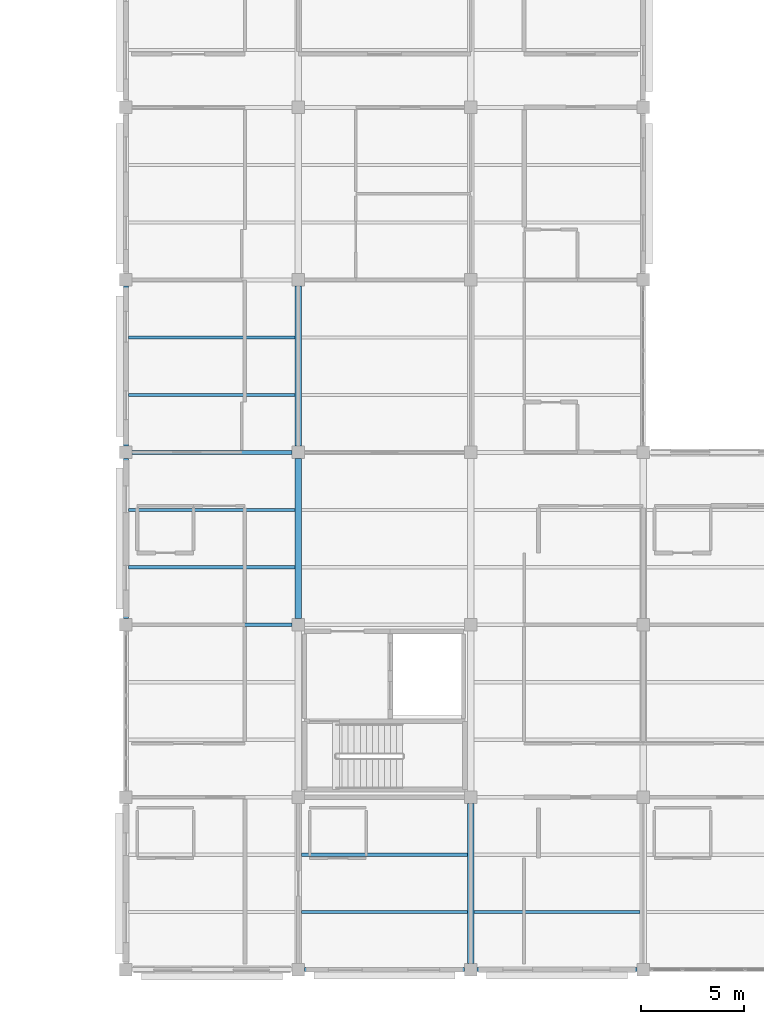
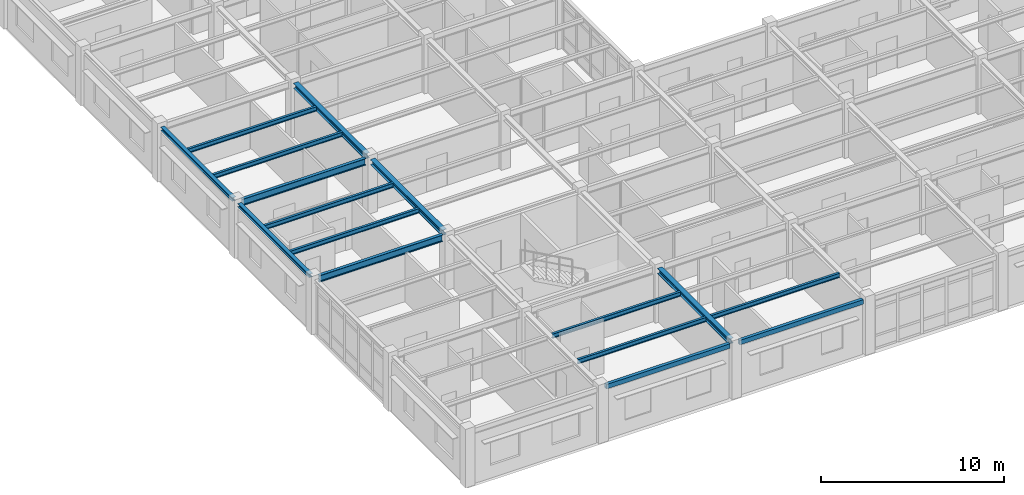
# One storey, part 3 of 86: 16 beams.
"""IFC4 building model written with IfcOpenShell, lengths in metres."""

from ifc_helpers import new_model, si_unit, direction, frame, origin, origin_2d, place, context, subcontext, project, spatial, hollow_rectangle, i_section, extrude, material, material_profile, profile_set, type_object, element, save


model = new_model("IFC4")

# Units and contexts
model_context = context("Model", 3, precision=1e-05, world=origin(), true_north=direction((0.0, 1.0)))
body_context = subcontext(model_context, "Body", "Model", "MODEL_VIEW")
ifc_project = project(units=[si_unit("LENGTHUNIT", "METRE"), si_unit("AREAUNIT", "SQUARE_METRE"), si_unit("VOLUMEUNIT", "CUBIC_METRE"), si_unit("PLANEANGLEUNIT", "RADIAN"), si_unit("MASSUNIT", "GRAM", prefix="KILO")], contexts=[model_context])

# Site, building, storey
site_placement = place(None, origin())
site = spatial("IfcSite", under=ifc_project, at=site_placement, CompositionType="ELEMENT")
building_placement = place(site_placement, origin())
building = spatial("IfcBuilding", under=site, at=building_placement, Name="Bramfleet General Hospital", CompositionType="ELEMENT")
storey_placement = place(building_placement, frame((0.0, 0.0, 18.60009765625)))
storey = spatial("IfcBuildingStorey", under=building, at=storey_placement, Name="L04", CompositionType="ELEMENT", Elevation=18.60009765625)

# Beams
ifc_material = material(Name="Steel S355", Category="steel")
ifc_material_profile_1 = material_profile(ifc_material, i_section(OverallWidth=0.239990234375, OverallDepth=0.22998046875, WebThickness=0.007568359375, FlangeThickness=0.011962890625, FilletRadius=0.02099609375, at=origin_2d()), Name="HEA 240")
ifc_profile_set_1 = profile_set([ifc_material_profile_1], Name="Steel S355")
beam_type_1 = type_object("IfcBeamType", Name="BM-HEA240", PredefinedType="SPANDREL", material=ifc_profile_set_1)
beam_1_placement = place(storey_placement, frame((92.39990234375, 17.10009765625, 3.5048828125), z_axis=(0.0, 1.0, 0.0), x_axis=(-1.0, 0.0, 0.0)))
element("IfcBeam", 1, at=beam_1_placement, inside=storey, type_object=beam_type_1, Name="L04 Grid Beam Y 11-02", PredefinedType="SPANDREL", context=body_context, shape_type="SweptSolid", body=[
    extrude(i_section(OverallWidth=0.239990234375, OverallDepth=0.22998046875, WebThickness=0.007568359375, FlangeThickness=0.011962890625, FilletRadius=0.02099609375, at=origin_2d()), origin(), (0.0, 0.0, 1.0), 7.7998046875),
])
beam_2_placement = place(storey_placement, frame((92.39990234375, 25.5, 3.5048828125), z_axis=(0.0, 1.0, 0.0), x_axis=(-1.0, 0.0, 0.0)))
element("IfcBeam", 2, at=beam_2_placement, inside=storey, type_object=beam_type_1, Name="L04 Grid Beam Y 11-03", PredefinedType="SPANDREL", context=body_context, shape_type="SweptSolid", body=[
    extrude(i_section(OverallWidth=0.239990234375, OverallDepth=0.22998046875, WebThickness=0.007568359375, FlangeThickness=0.011962890625, FilletRadius=0.02099609375, at=origin_2d()), origin(), (0.0, 0.0, 1.0), 7.800048828125),
])
ifc_material_profile_2 = material_profile(ifc_material, i_section(OverallWidth=0.300048828125, OverallDepth=0.35009765625, WebThickness=0.010009765625, FlangeThickness=0.017578125, FilletRadius=0.027099609375, at=origin_2d()), Name="HEA 360")
ifc_profile_set_2 = profile_set([ifc_material_profile_2], Name="Steel S355")
beam_type_2 = type_object("IfcBeamType", Name="BM-HEA360", PredefinedType="BEAM", material=ifc_profile_set_2)
beam_3_placement = place(storey_placement, frame((100.800048828125, 17.10009765625, 3.44482421875), z_axis=(0.0, 1.0, 0.0), x_axis=(-1.0, 0.0, 0.0)))
element("IfcBeam", 3, at=beam_3_placement, inside=storey, type_object=beam_type_2, Name="L04 Grid Beam Y 12-02", PredefinedType="BEAM", context=body_context, shape_type="SweptSolid", body=[
    extrude(i_section(OverallWidth=0.300048828125, OverallDepth=0.35009765625, WebThickness=0.010009765625, FlangeThickness=0.017578125, FilletRadius=0.027099609375, at=origin_2d()), origin(), (0.0, 0.0, 1.0), 7.7998046875),
])
for number, where, z_axis, x_axis, name in (
    (4, (100.800048828125, 25.5, 3.44482421875), (0.0, 1.0, 0.0), (-1.0, 0.0, 0.0), "L04 Grid Beam Y 12-03"),
    (5, (109.199951171875, 0.300048828125, 3.44482421875), (0.0, 1.0, 0.0), (-1.0, 0.0, 0.0), "L04 Grid Beam Y 13-00"),
):
    element("IfcBeam", number, at=place(storey_placement, frame(where, z_axis=z_axis, x_axis=x_axis)), inside=storey, type_object=beam_type_2, Name=name, PredefinedType="BEAM", context=body_context, shape_type="SweptSolid", body=[
        extrude(i_section(OverallWidth=0.300048828125, OverallDepth=0.35009765625, WebThickness=0.010009765625, FlangeThickness=0.017578125, FilletRadius=0.027099609375, at=origin_2d()), origin(), (0.0, 0.0, 1.0), 7.800048828125),
    ])
ifc_material_profile_3 = material_profile(ifc_material, i_section(OverallWidth=0.14990234375, OverallDepth=0.300048828125, WebThickness=0.007080078125, FlangeThickness=0.0107421875, FilletRadius=0.014892578125, at=origin_2d()), Name="IPE 300")
ifc_profile_set_3 = profile_set([ifc_material_profile_3], Name="Steel S355")
beam_type_3 = type_object("IfcBeamType", Name="BM-IPE300", PredefinedType="JOIST", material=ifc_profile_set_3)
for number, where, z_axis, x_axis, name in (
    (6, (92.52001953125, 19.60009765625, 3.469970703125), (1.0, 0.0, 0.0), (0.0, 1.0, 0.0), "L04 Secondary Joist 11-02-1"),
    (7, (92.52001953125, 22.39990234375, 3.469970703125), (1.0, 0.0, 0.0), (0.0, 1.0, 0.0), "L04 Secondary Joist 11-02-2"),
    (8, (92.52001953125, 28.0, 3.469970703125), (1.0, 0.0, 0.0), (0.0, 1.0, 0.0), "L04 Secondary Joist 11-03-1"),
    (9, (92.52001953125, 30.800048828125, 3.469970703125), (1.0, 0.0, 0.0), (0.0, 1.0, 0.0), "L04 Secondary Joist 11-03-2"),
):
    element("IfcBeam", number, at=place(storey_placement, frame(where, z_axis=z_axis, x_axis=x_axis)), inside=storey, type_object=beam_type_3, Name=name, PredefinedType="JOIST", context=body_context, shape_type="SweptSolid", body=[
        extrude(i_section(OverallWidth=0.14990234375, OverallDepth=0.300048828125, WebThickness=0.007080078125, FlangeThickness=0.0107421875, FilletRadius=0.014892578125, at=origin_2d()), origin(), (0.0, 0.0, 1.0), 8.1298828125),
    ])
for number, where, z_axis, x_axis, name in (
    (10, (100.949951171875, 2.800048828125, 3.469970703125), (1.0, 0.0, 0.0), (0.0, 1.0, 0.0), "L04 Secondary Joist 12-00-1"),
    (11, (100.949951171875, 5.60009765625, 3.469970703125), (1.0, 0.0, 0.0), (0.0, 1.0, 0.0), "L04 Secondary Joist 12-00-2"),
):
    element("IfcBeam", number, at=place(storey_placement, frame(where, z_axis=z_axis, x_axis=x_axis)), inside=storey, type_object=beam_type_3, Name=name, PredefinedType="JOIST", context=body_context, shape_type="SweptSolid", body=[
        extrude(i_section(OverallWidth=0.14990234375, OverallDepth=0.300048828125, WebThickness=0.007080078125, FlangeThickness=0.0107421875, FilletRadius=0.014892578125, at=origin_2d()), origin(), (0.0, 0.0, 1.0), 8.10009765625),
    ])
beam_4_placement = place(storey_placement, frame((109.35009765625, 2.800048828125, 3.469970703125), z_axis=(1.0, 0.0, 0.0), x_axis=(0.0, 1.0, 0.0)))
element("IfcBeam", 12, at=beam_4_placement, inside=storey, type_object=beam_type_3, Name="L04 Secondary Joist 13-00-1", PredefinedType="JOIST", context=body_context, shape_type="SweptSolid", body=[
    extrude(i_section(OverallWidth=0.14990234375, OverallDepth=0.300048828125, WebThickness=0.007080078125, FlangeThickness=0.0107421875, FilletRadius=0.014892578125, at=origin_2d()), origin(), (0.0, 0.0, 1.0), 8.099853515625),
])
ifc_material_profile_4 = material_profile(ifc_material, i_section(OverallWidth=0.18994140625, OverallDepth=0.449951171875, WebThickness=0.009521484375, FlangeThickness=0.0146484375, FilletRadius=0.02099609375, at=origin_2d()), Name="IPE 450")
ifc_profile_set_4 = profile_set([ifc_material_profile_4], Name="Steel S355")
beam_type_4 = type_object("IfcBeamType", Name="BM-IPE450", PredefinedType="BEAM", material=ifc_profile_set_4)
for number, where, z_axis, x_axis, name in (
    (13, (92.699951171875, 16.800048828125, 3.39501953125), (1.0, 0.0, 0.0), (0.0, 1.0, 0.0), "L04 Grid Beam X 11-02"),
    (14, (92.699951171875, 25.199951171875, 3.39501953125), (1.0, 0.0, 0.0), (0.0, 1.0, 0.0), "L04 Grid Beam X 11-03"),
):
    element("IfcBeam", number, at=place(storey_placement, frame(where, z_axis=z_axis, x_axis=x_axis)), inside=storey, type_object=beam_type_4, Name=name, PredefinedType="BEAM", context=body_context, shape_type="SweptSolid", body=[
        extrude(i_section(OverallWidth=0.18994140625, OverallDepth=0.449951171875, WebThickness=0.009521484375, FlangeThickness=0.0146484375, FilletRadius=0.02099609375, at=origin_2d()), origin(), (0.0, 0.0, 1.0), 7.800048828125),
    ])
ifc_material_profile_5 = material_profile(ifc_material, hollow_rectangle(XDim=0.199951171875, YDim=0.300048828125, WallThickness=0.012451171875, at=origin_2d()), Name="RHS 300x200x12.5")
ifc_profile_set_5 = profile_set([ifc_material_profile_5], Name="Steel S355")
beam_type_5 = type_object("IfcBeamType", Name="BM-RHS300", PredefinedType="SPANDREL", material=ifc_profile_set_5)
beam_5_placement = place(storey_placement, frame((101.10009765625, 0.0, 3.469970703125), z_axis=(1.0, 0.0, 0.0), x_axis=(0.0, 1.0, 0.0)))
element("IfcBeam", 15, at=beam_5_placement, inside=storey, type_object=beam_type_5, Name="L04 Grid Beam X 12-00", PredefinedType="SPANDREL", context=body_context, shape_type="SweptSolid", body=[
    extrude(hollow_rectangle(XDim=0.199951171875, YDim=0.300048828125, WallThickness=0.012451171875, at=origin_2d()), origin(), (0.0, 0.0, 1.0), 7.7998046875),
])
beam_6_placement = place(storey_placement, frame((109.5, 0.0, 3.469970703125), z_axis=(1.0, 0.0, 0.0), x_axis=(0.0, 1.0, 0.0)))
element("IfcBeam", 16, at=beam_6_placement, inside=storey, type_object=beam_type_5, Name="L04 Grid Beam X 13-00", PredefinedType="SPANDREL", context=body_context, shape_type="SweptSolid", body=[
    extrude(hollow_rectangle(XDim=0.199951171875, YDim=0.300048828125, WallThickness=0.012451171875, at=origin_2d()), origin(), (0.0, 0.0, 1.0), 7.800048828125),
])

save(model, "model.ifc")
